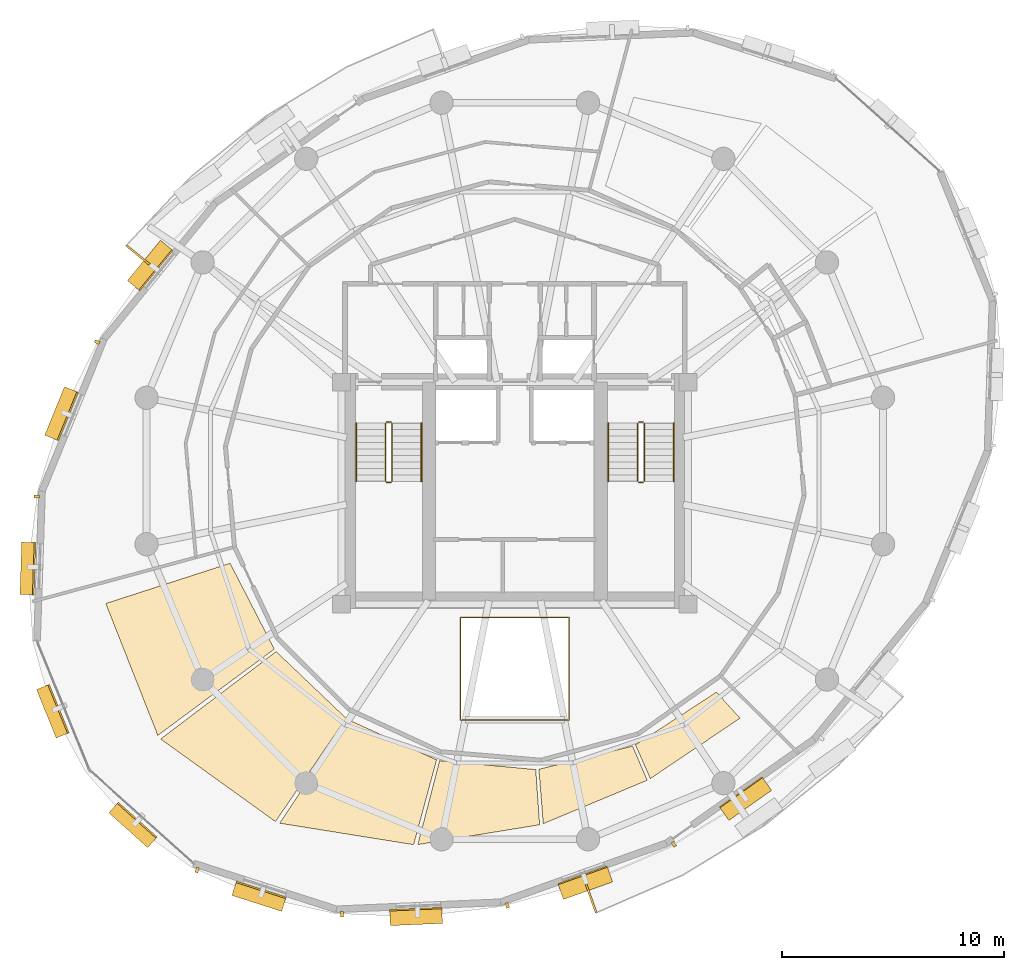
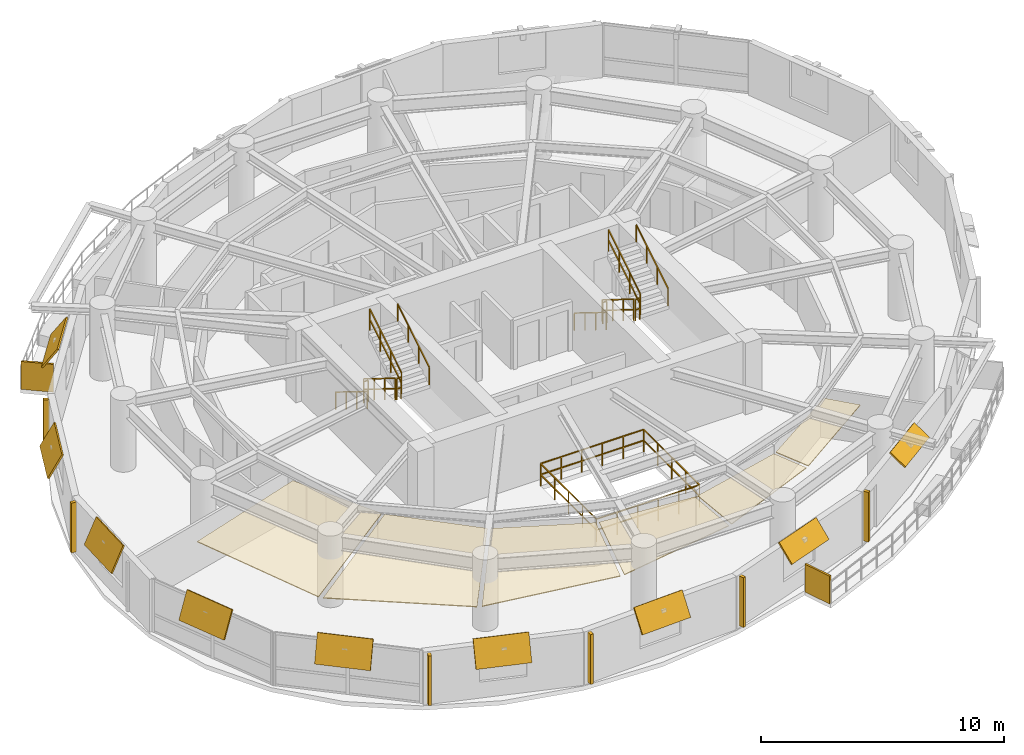
# One storey, part 10 of 11: 17 shading devices, 13 railings, 6 coverings.
"""IFC4 building model written with IfcOpenShell, lengths in metres."""

from ifc_helpers import new_model, si_unit, direction, frame, origin, origin_2d, place, context, subcontext, project, spatial, polyline, rectangle, outline, extrude, material, layer, layer_set, type_object, element, save


model = new_model("IFC4")

# Units and contexts
model_context = context("Model", 3, precision=1e-05, world=origin(), true_north=direction((0.0, 1.0)))
body_context = subcontext(model_context, "Body", "Model", "MODEL_VIEW")
ifc_project = project(units=[si_unit("LENGTHUNIT", "METRE"), si_unit("AREAUNIT", "SQUARE_METRE"), si_unit("VOLUMEUNIT", "CUBIC_METRE"), si_unit("PLANEANGLEUNIT", "RADIAN"), si_unit("MASSUNIT", "GRAM", prefix="KILO"), si_unit("THERMODYNAMICTEMPERATUREUNIT", "KELVIN"), si_unit("POWERUNIT", "WATT")], contexts=[model_context])

# Site, building, storey
site_placement = place(None, origin())
site = spatial("IfcSite", under=ifc_project, at=site_placement, CompositionType="ELEMENT")
building_placement = place(site_placement, origin())
building = spatial("IfcBuilding", under=site, at=building_placement, Name="Ocrelia Relay Tower", CompositionType="ELEMENT")
storey_placement = place(building_placement, frame((0.0, 0.0, 180.800048828125)))
storey = spatial("IfcBuildingStorey", under=building, at=storey_placement, Name="L43", CompositionType="ELEMENT", Elevation=180.800048828125)

# Coverings
ifc_material_1 = material(Name="Mineral-fiber acoustic ceiling tile", Category="gypsum")
ifc_layer_1 = layer(ifc_material_1, 0.0400390625, Name="Mineral-fiber acoustic ceiling tile")
ifc_layer_set_1 = layer_set([ifc_layer_1], Name="Mineral-fiber acoustic ceiling tile")
covering_type = type_object("IfcCoveringType", Name="COV-CEIL-ACOUSTIC", PredefinedType="CEILING", material=ifc_layer_set_1)
covering_1_placement = place(storey_placement, frame((0.0, 0.0, 2.3798828125)))
element("IfcCovering", 1, at=covering_1_placement, inside=storey, type_object=covering_type, Name="L43 Spectrum Operations Office Suspended Ceiling 1", PredefinedType="CEILING", context=body_context, shape_type="SweptSolid", body=[
    extrude(outline(polyline([(21.185546875, 21.8486328125), (15.58935546875, 20.03564453125), (17.929931640625, 14.1015625), (23.17431640625, 17.984619140625), (21.185546875, 21.8486328125)])), origin(), (0.0, 0.0, 1.0), 0.0400390625),
])
covering_2_placement = place(storey_placement, frame((0.0, 0.0, 2.3798828125)))
element("IfcCovering", 2, at=covering_2_placement, inside=storey, type_object=covering_type, Name="L43 Spectrum Operations Office Suspended Ceiling 2", PredefinedType="CEILING", context=body_context, shape_type="SweptSolid", body=[
    extrude(outline(polyline([(23.2587890625, 17.87158203125), (18.05908203125, 13.936767578125), (23.228271484375, 10.218994140625), (26.406005859375, 14.874755859375), (23.2587890625, 17.87158203125)])), origin(), (0.0, 0.0, 1.0), 0.0400390625),
])
covering_3_placement = place(storey_placement, frame((0.0, 0.0, 2.3798828125)))
element("IfcCovering", 3, at=covering_3_placement, inside=storey, type_object=covering_type, Name="L43 Spectrum Operations Office Suspended Ceiling 3", PredefinedType="CEILING", context=body_context, shape_type="SweptSolid", body=[
    extrude(outline(polyline([(26.52294921875, 14.7958984375), (23.420166015625, 10.146240234375), (29.446044921875, 9.180419921875), (30.479736328125, 12.998291015625), (26.52294921875, 14.7958984375)])), origin(), (0.0, 0.0, 1.0), 0.0400390625),
])
covering_4_placement = place(storey_placement, frame((0.0, 0.0, 2.3798828125)))
element("IfcCovering", 4, at=covering_4_placement, inside=storey, type_object=covering_type, Name="L43 Spectrum Operations Office Suspended Ceiling 4", PredefinedType="CEILING", context=body_context, shape_type="SweptSolid", body=[
    extrude(outline(polyline([(30.615966796875, 12.9619140625), (29.635498046875, 9.184814453125), (35.1181640625, 10.076904296875), (34.943603515625, 12.56298828125), (30.615966796875, 12.9619140625)])), origin(), (0.0, 0.0, 1.0), 0.0400390625),
])
covering_5_placement = place(storey_placement, frame((0.0, 0.0, 2.3798828125)))
element("IfcCovering", 5, at=covering_5_placement, inside=storey, type_object=covering_type, Name="L43 Spectrum Operations Office Suspended Ceiling 5", PredefinedType="CEILING", context=body_context, shape_type="SweptSolid", body=[
    extrude(outline(polyline([(35.084228515625, 12.57373046875), (35.281982421875, 10.12548828125), (39.96142578125, 12.07958984375), (39.302734375, 13.61767578125), (35.084228515625, 12.57373046875)])), origin(), (0.0, 0.0, 1.0), 0.0400390625),
])
covering_6_placement = place(storey_placement, frame((0.0, 0.0, 2.3798828125)))
element("IfcCovering", 6, at=covering_6_placement, inside=storey, type_object=covering_type, Name="L43 Spectrum Operations Office Suspended Ceiling 6", PredefinedType="CEILING", context=body_context, shape_type="SweptSolid", body=[
    extrude(outline(polyline([(39.43212890625, 13.673828125), (40.101318359375, 12.15576171875), (44.139892578125, 14.876220703125), (43.07421875, 16.045166015625), (39.43212890625, 13.673828125)])), origin(), (0.0, 0.0, 1.0), 0.0400390625),
])

# Railings
ifc_material_2 = material(Name="Steel S355 atrium balustrade", Category="steel")
railing_type_1 = type_object("IfcRailingType", Name="RL-INT-GUARD-115", PredefinedType="GUARDRAIL", material=ifc_material_2)
railing_1_placement = place(storey_placement, frame((31.550048828125, 14.800048828125, 0.0)))
element("IfcRailing", 7, at=railing_1_placement, inside=storey, type_object=railing_type_1, Name="L43 Multi-Zone Interior Atrium Guard", PredefinedType="GUARDRAIL", context=body_context, shape_type="SweptSolid", body=[
    extrude(rectangle(XDim=0.048095703125, YDim=0.048095703125, at=origin_2d()), frame((0.0, 0.0, 1.1259765625), z_axis=(1.0, 0.0, 0.0), x_axis=(0.0, 1.0, 0.0)), (0.0, 0.0, 1.0), 4.89990234375),
    extrude(rectangle(XDim=0.048095703125, YDim=0.048095703125, at=origin_2d()), frame((0.0, 0.0, 0.574951171875), z_axis=(1.0, 0.0, 0.0), x_axis=(0.0, 1.0, 0.0)), (0.0, 0.0, 1.0), 4.89990234375),
    extrude(rectangle(XDim=0.048095703125, YDim=0.048095703125, at=origin_2d()), frame((4.89990234375, 0.0, 1.1259765625), z_axis=(0.0, 1.0, 0.0), x_axis=(-1.0, 0.0, 0.0)), (0.0, 0.0, 1.0), 4.599853515625),
    extrude(rectangle(XDim=0.048095703125, YDim=0.048095703125, at=origin_2d()), frame((4.89990234375, 0.0, 0.574951171875), z_axis=(0.0, 1.0, 0.0), x_axis=(-1.0, 0.0, 0.0)), (0.0, 0.0, 1.0), 4.599853515625),
    extrude(rectangle(XDim=0.048095703125, YDim=0.048095703125, at=origin_2d()), frame((4.89990234375, 4.599853515625, 1.1259765625), z_axis=(-1.0, 0.0, 0.0), x_axis=(0.0, -1.0, 0.0)), (0.0, 0.0, 1.0), 4.89990234375),
    extrude(rectangle(XDim=0.048095703125, YDim=0.048095703125, at=origin_2d()), frame((4.89990234375, 4.599853515625, 0.574951171875), z_axis=(-1.0, 0.0, 0.0), x_axis=(0.0, -1.0, 0.0)), (0.0, 0.0, 1.0), 4.89990234375),
    extrude(rectangle(XDim=0.048095703125, YDim=0.048095703125, at=origin_2d()), frame((0.0, 4.599853515625, 1.1259765625), z_axis=(0.0, -1.0, 0.0), x_axis=(1.0, 0.0, 0.0)), (0.0, 0.0, 1.0), 4.599853515625),
    extrude(rectangle(XDim=0.048095703125, YDim=0.048095703125, at=origin_2d()), frame((0.0, 4.599853515625, 0.574951171875), z_axis=(0.0, -1.0, 0.0), x_axis=(1.0, 0.0, 0.0)), (0.0, 0.0, 1.0), 4.599853515625),
    extrude(rectangle(XDim=0.0419921875, YDim=0.0419921875, at=origin_2d()), origin(), (0.0, 0.0, 1.0), 1.101806640625),
    extrude(rectangle(XDim=0.0419921875, YDim=0.0419921875, at=origin_2d()), frame((0.97998046875, 0.0, 0.0)), (0.0, 0.0, 1.0), 1.101806640625),
    extrude(rectangle(XDim=0.0419921875, YDim=0.0419921875, at=origin_2d()), frame((1.9599609375, 0.0, 0.0)), (0.0, 0.0, 1.0), 1.101806640625),
    extrude(rectangle(XDim=0.0419921875, YDim=0.0419921875, at=origin_2d()), frame((2.93994140625, 0.0, 0.0)), (0.0, 0.0, 1.0), 1.101806640625),
    extrude(rectangle(XDim=0.0419921875, YDim=0.0419921875, at=origin_2d()), frame((3.919921875, 0.0, 0.0)), (0.0, 0.0, 1.0), 1.101806640625),
    extrude(rectangle(XDim=0.0419921875, YDim=0.0419921875, at=origin_2d()), frame((4.89990234375, 0.0, 0.0)), (0.0, 0.0, 1.0), 1.101806640625),
    extrude(rectangle(XDim=0.0419921875, YDim=0.0419921875, at=origin_2d()), frame((4.89990234375, 1.14990234375, 0.0)), (0.0, 0.0, 1.0), 1.101806640625),
    extrude(rectangle(XDim=0.0419921875, YDim=0.0419921875, at=origin_2d()), frame((4.89990234375, 2.2998046875, 0.0)), (0.0, 0.0, 1.0), 1.101806640625),
    extrude(rectangle(XDim=0.0419921875, YDim=0.0419921875, at=origin_2d()), frame((4.89990234375, 3.449951171875, 0.0)), (0.0, 0.0, 1.0), 1.101806640625),
    extrude(rectangle(XDim=0.0419921875, YDim=0.0419921875, at=origin_2d()), frame((4.89990234375, 4.599853515625, 0.0)), (0.0, 0.0, 1.0), 1.101806640625),
    extrude(rectangle(XDim=0.0419921875, YDim=0.0419921875, at=origin_2d()), frame((3.919921875, 4.599853515625, 0.0)), (0.0, 0.0, 1.0), 1.101806640625),
    extrude(rectangle(XDim=0.0419921875, YDim=0.0419921875, at=origin_2d()), frame((2.93994140625, 4.599853515625, 0.0)), (0.0, 0.0, 1.0), 1.101806640625),
    extrude(rectangle(XDim=0.0419921875, YDim=0.0419921875, at=origin_2d()), frame((1.9599609375, 4.599853515625, 0.0)), (0.0, 0.0, 1.0), 1.101806640625),
    extrude(rectangle(XDim=0.0419921875, YDim=0.0419921875, at=origin_2d()), frame((0.97998046875, 4.599853515625, 0.0)), (0.0, 0.0, 1.0), 1.101806640625),
    extrude(rectangle(XDim=0.0419921875, YDim=0.0419921875, at=origin_2d()), frame((0.0, 4.599853515625, 0.0)), (0.0, 0.0, 1.0), 1.101806640625),
    extrude(rectangle(XDim=0.0419921875, YDim=0.0419921875, at=origin_2d()), frame((0.0, 3.449951171875, 0.0)), (0.0, 0.0, 1.0), 1.101806640625),
    extrude(rectangle(XDim=0.0419921875, YDim=0.0419921875, at=origin_2d()), frame((0.0, 2.2998046875, 0.0)), (0.0, 0.0, 1.0), 1.101806640625),
    extrude(rectangle(XDim=0.0419921875, YDim=0.0419921875, at=origin_2d()), frame((0.0, 1.14990234375, 0.0)), (0.0, 0.0, 1.0), 1.101806640625),
])
ifc_material_3 = material(Name="Steel S355 balustrade", Category="steel")
railing_type_2 = type_object("IfcRailingType", Name="RL-STAIR-GUARD", PredefinedType="GUARDRAIL", material=ifc_material_3)
railing_2_placement = place(storey_placement, frame((28.179931640625, 28.14990234375, 0.179931640625)))
element("IfcRailing", 8, at=railing_2_placement, inside=storey, type_object=railing_type_2, Name="L43 ST1 stair guard 1", PredefinedType="GUARDRAIL", context=body_context, shape_type="SweptSolid", body=[
    extrude(rectangle(XDim=0.048095703125, YDim=0.048095703125, at=origin_2d()), frame((0.0, 0.0, 1.076171875), z_axis=(0.0, -0.849610693518, 0.52741034258), x_axis=(1.0, 0.0, 0.0)), (0.0, 0.0, 1.0), 3.07177734375),
    extrude(rectangle(XDim=0.048095703125, YDim=0.048095703125, at=origin_2d()), frame((0.0, 0.0, 0.550048828125), z_axis=(0.0, -0.849610693518, 0.52741034258), x_axis=(1.0, 0.0, 0.0)), (0.0, 0.0, 1.0), 3.07177734375),
    extrude(rectangle(XDim=0.0419921875, YDim=0.0419921875, at=origin_2d()), origin(), (0.0, 0.0, 1.0), 1.052001953125),
    extrude(rectangle(XDim=0.0419921875, YDim=0.0419921875, at=origin_2d()), frame((0.0, -0.869873046875, 0.5400390625)), (0.0, 0.0, 1.0), 1.052001953125),
    extrude(rectangle(XDim=0.0419921875, YDim=0.0419921875, at=origin_2d()), frame((0.0, -1.739990234375, 1.080078125)), (0.0, 0.0, 1.0), 1.052001953125),
    extrude(rectangle(XDim=0.0419921875, YDim=0.0419921875, at=origin_2d()), frame((0.0, -2.60986328125, 1.6201171875)), (0.0, 0.0, 1.0), 1.052001953125),
])
railing_3_placement = place(storey_placement, frame((28.22998046875, 25.489990234375, 1.800048828125)))
element("IfcRailing", 9, at=railing_3_placement, inside=storey, type_object=railing_type_2, Name="L43 ST1 stair guard 2", PredefinedType="GUARDRAIL", context=body_context, shape_type="SweptSolid", body=[
    extrude(rectangle(XDim=0.048095703125, YDim=0.048095703125, at=origin_2d()), frame((0.0, 0.0, 1.076171875), z_axis=(1.0, 0.0, 0.0), x_axis=(0.0, 1.0, 0.0)), (0.0, 0.0, 1.0), 0.199951171875),
    extrude(rectangle(XDim=0.048095703125, YDim=0.048095703125, at=origin_2d()), frame((0.0, 0.0, 0.550048828125), z_axis=(1.0, 0.0, 0.0), x_axis=(0.0, 1.0, 0.0)), (0.0, 0.0, 1.0), 0.199951171875),
    extrude(rectangle(XDim=0.0419921875, YDim=0.0419921875, at=origin_2d()), origin(), (0.0, 0.0, 1.0), 1.052001953125),
    extrude(rectangle(XDim=0.0419921875, YDim=0.0419921875, at=origin_2d()), frame((0.199951171875, 0.0, 0.0)), (0.0, 0.0, 1.0), 1.052001953125),
])
railing_4_placement = place(storey_placement, frame((28.47998046875, 25.5400390625, 1.97998046875)))
element("IfcRailing", 10, at=railing_4_placement, inside=storey, type_object=railing_type_2, Name="L43 ST1 stair guard 3", PredefinedType="GUARDRAIL", context=body_context, shape_type="SweptSolid", body=[
    extrude(rectangle(XDim=0.048095703125, YDim=0.048095703125, at=origin_2d()), frame((0.0, 0.0, 1.076171875), z_axis=(0.0, 0.849646306263, 0.527352969322), x_axis=(-1.0, 0.0, 0.0)), (0.0, 0.0, 1.0), 3.07177734375),
    extrude(rectangle(XDim=0.048095703125, YDim=0.048095703125, at=origin_2d()), frame((0.0, 0.0, 0.550048828125), z_axis=(0.0, 0.849646306263, 0.527352969322), x_axis=(-1.0, 0.0, 0.0)), (0.0, 0.0, 1.0), 3.07177734375),
    extrude(rectangle(XDim=0.0419921875, YDim=0.0419921875, at=origin_2d()), origin(), (0.0, 0.0, 1.0), 1.052001953125),
    extrude(rectangle(XDim=0.0419921875, YDim=0.0419921875, at=origin_2d()), frame((0.0, 0.869873046875, 0.5400390625)), (0.0, 0.0, 1.0), 1.052001953125),
    extrude(rectangle(XDim=0.0419921875, YDim=0.0419921875, at=origin_2d()), frame((0.0, 1.739990234375, 1.079833984375)), (0.0, 0.0, 1.0), 1.052001953125),
    extrude(rectangle(XDim=0.0419921875, YDim=0.0419921875, at=origin_2d()), frame((0.0, 2.60986328125, 1.619873046875)), (0.0, 0.0, 1.0), 1.052001953125),
])
railing_5_placement = place(storey_placement, frame((28.22998046875, 28.199951171875, 0.0)))
element("IfcRailing", 11, at=railing_5_placement, inside=storey, type_object=railing_type_2, Name="L43 ST1 stair guard 4", PredefinedType="GUARDRAIL", context=body_context, shape_type="SweptSolid", body=[
    extrude(rectangle(XDim=0.048095703125, YDim=0.048095703125, at=origin_2d()), frame((0.0, 0.0, 1.076171875), z_axis=(1.0, 0.0, 0.0), x_axis=(0.0, 1.0, 0.0)), (0.0, 0.0, 1.0), 0.199951171875),
    extrude(rectangle(XDim=0.048095703125, YDim=0.048095703125, at=origin_2d()), frame((0.0, 0.0, 0.550048828125), z_axis=(1.0, 0.0, 0.0), x_axis=(0.0, 1.0, 0.0)), (0.0, 0.0, 1.0), 0.199951171875),
    extrude(rectangle(XDim=0.0419921875, YDim=0.0419921875, at=origin_2d()), origin(), (0.0, 0.0, 1.0), 1.052001953125),
    extrude(rectangle(XDim=0.0419921875, YDim=0.0419921875, at=origin_2d()), frame((0.199951171875, 0.0, 0.0)), (0.0, 0.0, 1.0), 1.052001953125),
])
railing_6_placement = place(storey_placement, frame((39.530029296875, 28.14990234375, 0.179931640625)))
element("IfcRailing", 12, at=railing_6_placement, inside=storey, type_object=railing_type_2, Name="L43 ST2 stair guard 1", PredefinedType="GUARDRAIL", context=body_context, shape_type="SweptSolid", body=[
    extrude(rectangle(XDim=0.048095703125, YDim=0.048095703125, at=origin_2d()), frame((0.0, 0.0, 1.076171875), z_axis=(0.0, -0.849610693518, 0.52741034258), x_axis=(1.0, 0.0, 0.0)), (0.0, 0.0, 1.0), 3.07177734375),
    extrude(rectangle(XDim=0.048095703125, YDim=0.048095703125, at=origin_2d()), frame((0.0, 0.0, 0.550048828125), z_axis=(0.0, -0.849610693518, 0.52741034258), x_axis=(1.0, 0.0, 0.0)), (0.0, 0.0, 1.0), 3.07177734375),
    extrude(rectangle(XDim=0.0419921875, YDim=0.0419921875, at=origin_2d()), origin(), (0.0, 0.0, 1.0), 1.052001953125),
    extrude(rectangle(XDim=0.0419921875, YDim=0.0419921875, at=origin_2d()), frame((0.0, -0.869873046875, 0.5400390625)), (0.0, 0.0, 1.0), 1.052001953125),
    extrude(rectangle(XDim=0.0419921875, YDim=0.0419921875, at=origin_2d()), frame((0.0, -1.739990234375, 1.080078125)), (0.0, 0.0, 1.0), 1.052001953125),
    extrude(rectangle(XDim=0.0419921875, YDim=0.0419921875, at=origin_2d()), frame((0.0, -2.60986328125, 1.6201171875)), (0.0, 0.0, 1.0), 1.052001953125),
])
railing_7_placement = place(storey_placement, frame((39.580078125, 25.489990234375, 1.800048828125)))
element("IfcRailing", 13, at=railing_7_placement, inside=storey, type_object=railing_type_2, Name="L43 ST2 stair guard 2", PredefinedType="GUARDRAIL", context=body_context, shape_type="SweptSolid", body=[
    extrude(rectangle(XDim=0.048095703125, YDim=0.048095703125, at=origin_2d()), frame((0.0, 0.0, 1.076171875), z_axis=(1.0, 0.0, 0.0), x_axis=(0.0, 1.0, 0.0)), (0.0, 0.0, 1.0), 0.199951171875),
    extrude(rectangle(XDim=0.048095703125, YDim=0.048095703125, at=origin_2d()), frame((0.0, 0.0, 0.550048828125), z_axis=(1.0, 0.0, 0.0), x_axis=(0.0, 1.0, 0.0)), (0.0, 0.0, 1.0), 0.199951171875),
    extrude(rectangle(XDim=0.0419921875, YDim=0.0419921875, at=origin_2d()), origin(), (0.0, 0.0, 1.0), 1.052001953125),
    extrude(rectangle(XDim=0.0419921875, YDim=0.0419921875, at=origin_2d()), frame((0.199951171875, 0.0, 0.0)), (0.0, 0.0, 1.0), 1.052001953125),
])
railing_8_placement = place(storey_placement, frame((39.830078125, 25.5400390625, 1.97998046875)))
element("IfcRailing", 14, at=railing_8_placement, inside=storey, type_object=railing_type_2, Name="L43 ST2 stair guard 3", PredefinedType="GUARDRAIL", context=body_context, shape_type="SweptSolid", body=[
    extrude(rectangle(XDim=0.048095703125, YDim=0.048095703125, at=origin_2d()), frame((0.0, 0.0, 1.076171875), z_axis=(0.0, 0.849646306263, 0.527352969322), x_axis=(-1.0, 0.0, 0.0)), (0.0, 0.0, 1.0), 3.07177734375),
    extrude(rectangle(XDim=0.048095703125, YDim=0.048095703125, at=origin_2d()), frame((0.0, 0.0, 0.550048828125), z_axis=(0.0, 0.849646306263, 0.527352969322), x_axis=(-1.0, 0.0, 0.0)), (0.0, 0.0, 1.0), 3.07177734375),
    extrude(rectangle(XDim=0.0419921875, YDim=0.0419921875, at=origin_2d()), origin(), (0.0, 0.0, 1.0), 1.052001953125),
    extrude(rectangle(XDim=0.0419921875, YDim=0.0419921875, at=origin_2d()), frame((0.0, 0.869873046875, 0.5400390625)), (0.0, 0.0, 1.0), 1.052001953125),
    extrude(rectangle(XDim=0.0419921875, YDim=0.0419921875, at=origin_2d()), frame((0.0, 1.739990234375, 1.079833984375)), (0.0, 0.0, 1.0), 1.052001953125),
    extrude(rectangle(XDim=0.0419921875, YDim=0.0419921875, at=origin_2d()), frame((0.0, 2.60986328125, 1.619873046875)), (0.0, 0.0, 1.0), 1.052001953125),
])
railing_9_placement = place(storey_placement, frame((39.580078125, 28.199951171875, 0.0)))
element("IfcRailing", 15, at=railing_9_placement, inside=storey, type_object=railing_type_2, Name="L43 ST2 stair guard 4", PredefinedType="GUARDRAIL", context=body_context, shape_type="SweptSolid", body=[
    extrude(rectangle(XDim=0.048095703125, YDim=0.048095703125, at=origin_2d()), frame((0.0, 0.0, 1.076171875), z_axis=(1.0, 0.0, 0.0), x_axis=(0.0, 1.0, 0.0)), (0.0, 0.0, 1.0), 0.199951171875),
    extrude(rectangle(XDim=0.048095703125, YDim=0.048095703125, at=origin_2d()), frame((0.0, 0.0, 0.550048828125), z_axis=(1.0, 0.0, 0.0), x_axis=(0.0, 1.0, 0.0)), (0.0, 0.0, 1.0), 0.199951171875),
    extrude(rectangle(XDim=0.0419921875, YDim=0.0419921875, at=origin_2d()), origin(), (0.0, 0.0, 1.0), 1.052001953125),
    extrude(rectangle(XDim=0.0419921875, YDim=0.0419921875, at=origin_2d()), frame((0.199951171875, 0.0, 0.0)), (0.0, 0.0, 1.0), 1.052001953125),
])
ifc_material_4 = material(Name="Steel S355 tubular handrail", Category="steel")
railing_type_3 = type_object("IfcRailingType", Name="RL-STAIR-HAND", PredefinedType="HANDRAIL", material=ifc_material_4)
railing_10_placement = place(storey_placement, frame((26.860107421875, 28.14990234375, 0.179931640625)))
element("IfcRailing", 16, at=railing_10_placement, inside=storey, type_object=railing_type_3, Name="L43 ST1 stair handrail 1", PredefinedType="HANDRAIL", context=body_context, shape_type="SweptSolid", body=[
    extrude(rectangle(XDim=0.048095703125, YDim=0.048095703125, at=origin_2d()), frame((0.0, 0.0, 0.8759765625), z_axis=(0.0, -0.849610693518, 0.52741034258), x_axis=(1.0, 0.0, 0.0)), (0.0, 0.0, 1.0), 3.07177734375),
    extrude(rectangle(XDim=0.0419921875, YDim=0.0419921875, at=origin_2d()), origin(), (0.0, 0.0, 1.0), 0.851806640625),
    extrude(rectangle(XDim=0.0419921875, YDim=0.0419921875, at=origin_2d()), frame((0.0, -0.869873046875, 0.5400390625)), (0.0, 0.0, 1.0), 0.851806640625),
    extrude(rectangle(XDim=0.0419921875, YDim=0.0419921875, at=origin_2d()), frame((0.0, -1.739990234375, 1.080078125)), (0.0, 0.0, 1.0), 0.851806640625),
    extrude(rectangle(XDim=0.0419921875, YDim=0.0419921875, at=origin_2d()), frame((0.0, -2.60986328125, 1.6201171875)), (0.0, 0.0, 1.0), 0.851806640625),
])
railing_11_placement = place(storey_placement, frame((29.800048828125, 25.5400390625, 1.97998046875)))
element("IfcRailing", 17, at=railing_11_placement, inside=storey, type_object=railing_type_3, Name="L43 ST1 stair handrail 2", PredefinedType="HANDRAIL", context=body_context, shape_type="SweptSolid", body=[
    extrude(rectangle(XDim=0.048095703125, YDim=0.048095703125, at=origin_2d()), frame((0.0, 0.0, 0.8759765625), z_axis=(0.0, 0.849646306263, 0.527352969322), x_axis=(-1.0, 0.0, 0.0)), (0.0, 0.0, 1.0), 3.07177734375),
    extrude(rectangle(XDim=0.0419921875, YDim=0.0419921875, at=origin_2d()), origin(), (0.0, 0.0, 1.0), 0.851806640625),
    extrude(rectangle(XDim=0.0419921875, YDim=0.0419921875, at=origin_2d()), frame((0.0, 0.869873046875, 0.5400390625)), (0.0, 0.0, 1.0), 0.851806640625),
    extrude(rectangle(XDim=0.0419921875, YDim=0.0419921875, at=origin_2d()), frame((0.0, 1.739990234375, 1.079833984375)), (0.0, 0.0, 1.0), 0.851806640625),
    extrude(rectangle(XDim=0.0419921875, YDim=0.0419921875, at=origin_2d()), frame((0.0, 2.60986328125, 1.619873046875)), (0.0, 0.0, 1.0), 0.851806640625),
])
railing_12_placement = place(storey_placement, frame((38.2099609375, 28.14990234375, 0.179931640625)))
element("IfcRailing", 18, at=railing_12_placement, inside=storey, type_object=railing_type_3, Name="L43 ST2 stair handrail 1", PredefinedType="HANDRAIL", context=body_context, shape_type="SweptSolid", body=[
    extrude(rectangle(XDim=0.048095703125, YDim=0.048095703125, at=origin_2d()), frame((0.0, 0.0, 0.8759765625), z_axis=(0.0, -0.849610693518, 0.52741034258), x_axis=(1.0, 0.0, 0.0)), (0.0, 0.0, 1.0), 3.07177734375),
    extrude(rectangle(XDim=0.0419921875, YDim=0.0419921875, at=origin_2d()), origin(), (0.0, 0.0, 1.0), 0.851806640625),
    extrude(rectangle(XDim=0.0419921875, YDim=0.0419921875, at=origin_2d()), frame((0.0, -0.869873046875, 0.5400390625)), (0.0, 0.0, 1.0), 0.851806640625),
    extrude(rectangle(XDim=0.0419921875, YDim=0.0419921875, at=origin_2d()), frame((0.0, -1.739990234375, 1.080078125)), (0.0, 0.0, 1.0), 0.851806640625),
    extrude(rectangle(XDim=0.0419921875, YDim=0.0419921875, at=origin_2d()), frame((0.0, -2.60986328125, 1.6201171875)), (0.0, 0.0, 1.0), 0.851806640625),
])
railing_13_placement = place(storey_placement, frame((41.14990234375, 25.5400390625, 1.97998046875)))
element("IfcRailing", 19, at=railing_13_placement, inside=storey, type_object=railing_type_3, Name="L43 ST2 stair handrail 2", PredefinedType="HANDRAIL", context=body_context, shape_type="SweptSolid", body=[
    extrude(rectangle(XDim=0.048095703125, YDim=0.048095703125, at=origin_2d()), frame((0.0, 0.0, 0.8759765625), z_axis=(0.0, 0.849646306263, 0.527352969322), x_axis=(-1.0, 0.0, 0.0)), (0.0, 0.0, 1.0), 3.07177734375),
    extrude(rectangle(XDim=0.0419921875, YDim=0.0419921875, at=origin_2d()), origin(), (0.0, 0.0, 1.0), 0.851806640625),
    extrude(rectangle(XDim=0.0419921875, YDim=0.0419921875, at=origin_2d()), frame((0.0, 0.869873046875, 0.5400390625)), (0.0, 0.0, 1.0), 0.851806640625),
    extrude(rectangle(XDim=0.0419921875, YDim=0.0419921875, at=origin_2d()), frame((0.0, 1.739990234375, 1.079833984375)), (0.0, 0.0, 1.0), 0.851806640625),
    extrude(rectangle(XDim=0.0419921875, YDim=0.0419921875, at=origin_2d()), frame((0.0, 2.60986328125, 1.619873046875)), (0.0, 0.0, 1.0), 0.851806640625),
])

# Shading devices
ifc_material_5 = material(Name="Perforated oxide terracotta solar screen", Category="masonry")
ifc_layer_2 = layer(ifc_material_5, 0.090087890625, Name="Perforated oxide terracotta solar screen")
ifc_layer_set_2 = layer_set([ifc_layer_2], Name="Perforated oxide terracotta solar screen")
shading_device_type_1 = type_object("IfcShadingDeviceType", Name="SH-BALC-SCREEN", PredefinedType="USERDEFINED", material=ifc_layer_set_2)
for number, where, z_axis, x_axis, name in (
    (20, (17.044921875, 35.71923828125, 0.0), (0.0, 0.0, 1.0), (-0.774896470191, 0.632088174613, 0.0), "L43 Balcony Perforated Terracotta Screen B1-2"),
    (21, (37.43505859375, 6.760986328125, 0.0), (0.0, 0.0, 1.0), (0.333912234412, -0.942604169156, 0.0), "L43 Balcony Perforated Terracotta Screen B2-1"),
):
    element("IfcShadingDevice", number, at=place(storey_placement, frame(where, z_axis=z_axis, x_axis=x_axis)), inside=storey, type_object=shading_device_type_1, Name=name, ObjectType="SCREEN", PredefinedType="USERDEFINED", context=body_context, shape_type="SweptSolid", body=[
        extrude(rectangle(XDim=1.340087890625, YDim=0.090087890625, at=origin_2d()), origin(), (0.0, 0.0, 1.0), 1.39990234375),
    ])
ifc_material_6 = material(Name="Extruded oxide terracotta vertical baguette", Category="masonry")
shading_device_type_2 = type_object("IfcShadingDeviceType", Name="SH-TERR-BAGUETTE", PredefinedType="USERDEFINED", material=ifc_material_6)
for number, where, z_axis, x_axis, name in (
    (22, (15.205322265625, 31.8037109375, 0.079833984375), (0.0, 0.0, 1.0), (-0.377114814891, -0.926166516556, 0.0), "L43 Oxide Terracotta Vertical Baguette 07"),
    (23, (12.481201171875, 24.85546875, 0.079833984375), (0.0, 0.0, 1.0), (-0.033031480205, -0.99945431177, 0.0), "L43 Oxide Terracotta Vertical Baguette 08"),
    (24, (19.70361328125, 8.04248046875, 0.079833984375), (0.0, 0.0, 1.0), (0.952093943158, -0.305805695504, 0.0), "L43 Oxide Terracotta Vertical Baguette 11"),
    (25, (26.217041015625, 6.052734375, 0.079833984375), (0.0, 0.0, 1.0), (0.999082573602, 0.042825356101, 0.0), "L43 Oxide Terracotta Vertical Baguette 12"),
    (26, (33.661376953125, 6.452880859375, 0.079833984375), (0.0, 0.0, 1.0), (0.94210553613, 0.335316505399, 0.0), "L43 Oxide Terracotta Vertical Baguette 13"),
    (27, (41.155029296875, 9.197265625, 0.079833984375), (0.0, 0.0, 1.0), (0.817648307618, 0.575718025642, 0.0), "L43 Oxide Terracotta Vertical Baguette 14"),
):
    element("IfcShadingDevice", number, at=place(storey_placement, frame(where, z_axis=z_axis, x_axis=x_axis)), inside=storey, type_object=shading_device_type_2, Name=name, ObjectType="BAGUETTE", PredefinedType="USERDEFINED", context=body_context, shape_type="SweptSolid", body=[
        extrude(rectangle(XDim=0.139892578125, YDim=0.239990234375, at=origin_2d()), origin(), (0.0, 0.0, 1.0), 2.5),
    ])
ifc_material_7 = material(Name="Extruded oxide terracotta fin", Category="masonry")
ifc_layer_3 = layer(ifc_material_7, 0.080078125, Name="Extruded oxide terracotta fin")
ifc_layer_set_3 = layer_set([ifc_layer_3], Name="Extruded oxide terracotta fin")
shading_device_type_3 = type_object("IfcShadingDeviceType", Name="SH-VISOR-FIN-DEEP", PredefinedType="USERDEFINED", material=ifc_layer_set_3)
shading_device_1_placement = place(storey_placement, frame((17.616455078125, 35.226806640625, 2.4775390625), z_axis=(-0.641393885588, 0.524815782247, 0.559626909856), x_axis=(-0.633265954699, -0.773934254714, 0.0)))
element("IfcShadingDevice", 28, at=shading_device_1_placement, inside=storey, type_object=shading_device_type_3, Name="L43 Canted Terracotta Sun-Visor Fin 06", ObjectType="FIN", PredefinedType="USERDEFINED", context=body_context, shape_type="SweptSolid", body=[
    extrude(rectangle(XDim=2.35009765625, YDim=1.18310546875, at=origin_2d()), origin(), (0.0, 0.0, 1.0), 0.080078125),
])
shading_device_2_placement = place(storey_placement, frame((13.630126953125, 28.565185546875, 2.4814453125), z_axis=(-0.82009705777, 0.333925643613, 0.464687508306), x_axis=(-0.377114814891, -0.926166516556, 0.0)))
element("IfcShadingDevice", 29, at=shading_device_2_placement, inside=storey, type_object=shading_device_type_3, Name="L43 Canted Terracotta Sun-Visor Fin 07", ObjectType="FIN", PredefinedType="USERDEFINED", context=body_context, shape_type="SweptSolid", body=[
    extrude(rectangle(XDim=2.35009765625, YDim=1.2880859375, at=origin_2d()), origin(), (0.0, 0.0, 1.0), 0.080078125),
])
shading_device_3_placement = place(storey_placement, frame((12.11962890625, 21.61083984375, 2.4833984375), z_axis=(-0.908158143515, 0.030014186128, 0.41754991917), x_axis=(-0.033031480205, -0.99945431177, 0.0)))
element("IfcShadingDevice", 30, at=shading_device_3_placement, inside=storey, type_object=shading_device_type_3, Name="L43 Canted Terracotta Sun-Visor Fin 08", ObjectType="FIN", PredefinedType="USERDEFINED", context=body_context, shape_type="SweptSolid", body=[
    extrude(rectangle(XDim=2.35009765625, YDim=1.339111328125, at=origin_2d()), origin(), (0.0, 0.0, 1.0), 0.080078125),
])
shading_device_4_placement = place(storey_placement, frame((13.23828125, 15.203125, 2.483642578125), z_axis=(-0.845879562857, -0.344664445989, 0.407055505812), x_axis=(0.377340873582, -0.92607443822, 0.0)))
element("IfcShadingDevice", 31, at=shading_device_4_placement, inside=storey, type_object=shading_device_type_3, Name="L43 Canted Terracotta Sun-Visor Fin 09", ObjectType="FIN", PredefinedType="USERDEFINED", context=body_context, shape_type="SweptSolid", body=[
    extrude(rectangle(XDim=2.35009765625, YDim=1.35009765625, at=origin_2d()), origin(), (0.0, 0.0, 1.0), 0.080078125),
])
shading_device_5_placement = place(storey_placement, frame((16.83984375, 10.096435546875, 2.48291015625), z_axis=(-0.604163360684, -0.674070131636, 0.424989518979), x_axis=(0.744665730889, -0.66743759951, 0.0)))
element("IfcShadingDevice", 32, at=shading_device_5_placement, inside=storey, type_object=shading_device_type_3, Name="L43 Canted Terracotta Sun-Visor Fin 10", ObjectType="FIN", PredefinedType="USERDEFINED", context=body_context, shape_type="SweptSolid", body=[
    extrude(rectangle(XDim=2.35009765625, YDim=1.3310546875, at=origin_2d()), origin(), (0.0, 0.0, 1.0), 0.080078125),
])
shading_device_6_placement = place(storey_placement, frame((22.499755859375, 6.892578125, 2.481201171875), z_axis=(-0.269759419785, -0.839867646232, 0.471011881219), x_axis=(0.952093943158, -0.305805695504, 0.0)))
element("IfcShadingDevice", 33, at=shading_device_6_placement, inside=storey, type_object=shading_device_type_3, Name="L43 Canted Terracotta Sun-Visor Fin 11", ObjectType="FIN", PredefinedType="USERDEFINED", context=body_context, shape_type="SweptSolid", body=[
    extrude(rectangle(XDim=2.35009765625, YDim=1.281982421875, at=origin_2d()), origin(), (0.0, 0.0, 1.0), 0.080078125),
])
shading_device_7_placement = place(storey_placement, frame((29.554443359375, 5.981689453125, 2.47802734375), z_axis=(0.035756771023, -0.834177927961, 0.550335023262), x_axis=(0.999082573602, 0.042825356101, 0.0)))
element("IfcShadingDevice", 34, at=shading_device_7_placement, inside=storey, type_object=shading_device_type_3, Name="L43 Canted Terracotta Sun-Visor Fin 12", ObjectType="FIN", PredefinedType="USERDEFINED", context=body_context, shape_type="SweptSolid", body=[
    extrude(rectangle(XDim=2.35009765625, YDim=1.193115234375, at=origin_2d()), origin(), (0.0, 0.0, 1.0), 0.080078125),
])
ifc_layer_4 = layer(ifc_material_7, 0.080078125, Name="Extruded oxide terracotta fin")
ifc_layer_set_4 = layer_set([ifc_layer_4], Name="Extruded oxide terracotta fin")
shading_device_type_4 = type_object("IfcShadingDeviceType", Name="SH-VISOR-FIN-MED", PredefinedType="USERDEFINED", material=ifc_layer_set_4)
shading_device_8_placement = place(storey_placement, frame((37.1591796875, 7.4970703125, 2.473388671875), z_axis=(0.250476867123, -0.703740016939, 0.664839324646), x_axis=(0.94210553613, 0.335316505399, 0.0)))
element("IfcShadingDevice", 35, at=shading_device_8_placement, inside=storey, type_object=shading_device_type_4, Name="L43 Canted Terracotta Sun-Visor Fin 13", ObjectType="FIN", PredefinedType="USERDEFINED", context=body_context, shape_type="SweptSolid", body=[
    extrude(rectangle(XDim=2.35009765625, YDim=1.055908203125, at=origin_2d()), origin(), (0.0, 0.0, 1.0), 0.080078125),
])
shading_device_9_placement = place(storey_placement, frame((44.36865234375, 11.274169921875, 2.46826171875), z_axis=(0.352623401995, -0.500804065577, 0.790475821431), x_axis=(0.817648307618, 0.575718025642, 0.0)))
element("IfcShadingDevice", 36, at=shading_device_9_placement, inside=storey, type_object=shading_device_type_4, Name="L43 Canted Terracotta Sun-Visor Fin 14", ObjectType="FIN", PredefinedType="USERDEFINED", context=body_context, shape_type="SweptSolid", body=[
    extrude(rectangle(XDim=2.35009765625, YDim=0.8798828125, at=origin_2d()), origin(), (0.0, 0.0, 1.0), 0.080078125),
])

save(model, "model.ifc")
